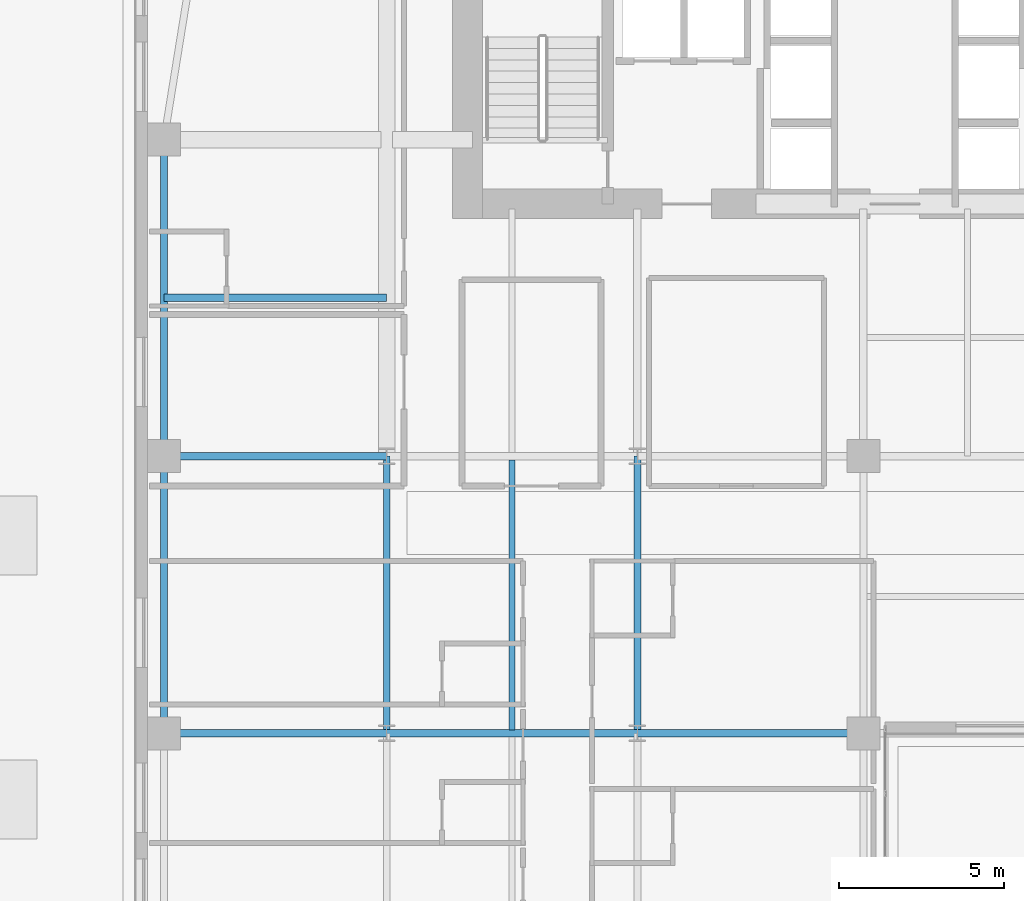
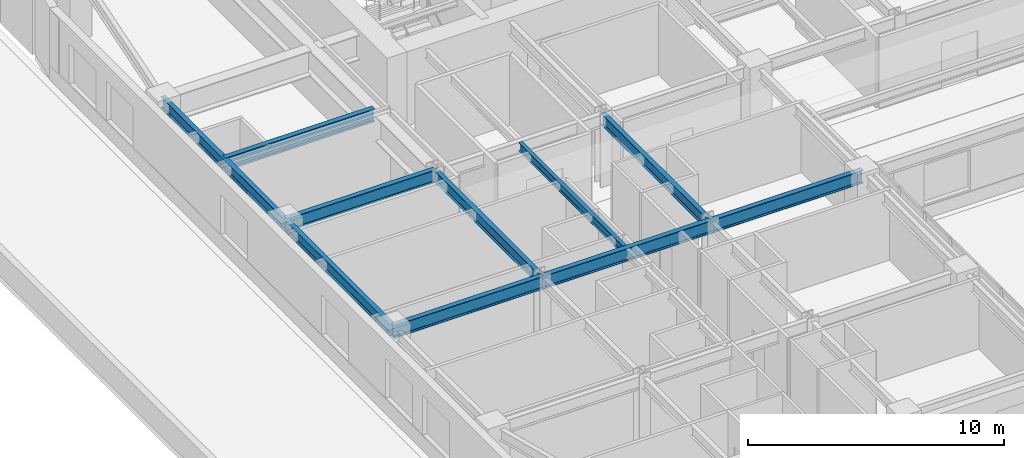
# One storey, part 5 of 25: 10 beams.
"""IFC4 building model written with IfcOpenShell, lengths in metres."""

from ifc_helpers import new_model, si_unit, direction, frame, origin, origin_2d, place, context, subcontext, project, spatial, i_section, extrude, source, transform, mapped, material, material_profile, profile_set, type_object, type_shapes, element, save


model = new_model("IFC4")

# Units and contexts
model_context = context("Model", 3, precision=1e-05, world=origin(), true_north=direction((0.0, 1.0)))
body_context = subcontext(model_context, "Body", "Model", "MODEL_VIEW")
ifc_project = project(units=[si_unit("LENGTHUNIT", "METRE"), si_unit("AREAUNIT", "SQUARE_METRE"), si_unit("VOLUMEUNIT", "CUBIC_METRE"), si_unit("PLANEANGLEUNIT", "RADIAN"), si_unit("MASSUNIT", "GRAM", prefix="KILO")], contexts=[model_context])

# Site, building, storey
site_placement = place(None, origin())
site = spatial("IfcSite", under=ifc_project, at=site_placement, CompositionType="ELEMENT")
building_placement = place(site_placement, origin())
building = spatial("IfcBuilding", under=site, at=building_placement, Name="Tolvann Quenvar Hotel", CompositionType="ELEMENT")
storey_placement = place(building_placement, frame((0.0, 0.0, 32.0)))
storey = spatial("IfcBuildingStorey", under=building, at=storey_placement, Name="L06", CompositionType="ELEMENT", Elevation=32.0)

# Beams
ifc_material = material(Name="Steel Grade 350", Category="steel")
ifc_material_profile_1 = material_profile(ifc_material, i_section(OverallWidth=0.22900390625, OverallDepth=0.612060546875, WebThickness=0.011962890625, FlangeThickness=0.01953125, FilletRadius=0.013916015625, at=origin_2d()), Name="610UB125")
ifc_profile_set_1 = profile_set([ifc_material_profile_1], Name="Steel Grade 350")
beam_type_1 = type_object("IfcBeamType", Name="BM_GIRD_610UB125", PredefinedType="BEAM", material=ifc_profile_set_1)
shared_shape_1 = source(origin(), body_context, "Body", "SweptSolid", [
    extrude(i_section(OverallWidth=0.22900390625, OverallDepth=0.612060546875, WebThickness=0.011962890625, FlangeThickness=0.01953125, FilletRadius=0.013916015625, at=origin_2d()), origin(), (0.0, 0.0, 1.0), 6.75),
])
for number, where, z_axis, x_axis, name in (
    (1, (0.85009765625, 16.0, 3.06396484375), (1.0, 0.0, 0.0), (0.0, 1.0, 0.0), "BM-L06-EW-4-B4-C4"),
    (2, (0.85009765625, 24.39990234375, 3.06396484375), (1.0, 0.0, 0.0), (0.0, 1.0, 0.0), "BM-L06-EW-5-B5-C5"),
    (3, (0.85009765625, 29.199951171875, 3.06396484375), (1.0, 0.0, 0.0), (0.0, 1.0, 0.0), "BM-L06-EW-BC29"),
):
    element("IfcBeam", number, at=place(storey_placement, frame(where, z_axis=z_axis, x_axis=x_axis)), inside=storey, type_object=beam_type_1, Name=name, PredefinedType="BEAM", context=body_context, shape_type="MappedRepresentation", body=[
        mapped(shared_shape_1, transform((0.0, 0.0, 0.0), x_axis=(1.0, 0.0, 0.0), y_axis=(0.0, 1.0, 0.0), z_axis=(0.0, 0.0, 1.0), scale=1.0)),
    ])
shared_shape_2 = source(origin(), body_context, "Body", "SweptSolid", [
    extrude(i_section(OverallWidth=0.22900390625, OverallDepth=0.612060546875, WebThickness=0.011962890625, FlangeThickness=0.01953125, FilletRadius=0.013916015625, at=origin_2d()), origin(), (0.0, 0.0, 1.0), 7.599853515625),
])
beam_1_placement = place(storey_placement, frame((7.60009765625, 16.0, 3.06396484375), z_axis=(1.0, 0.0, 0.0), x_axis=(0.0, 1.0, 0.0)))
element("IfcBeam", 4, at=beam_1_placement, inside=storey, type_object=beam_type_1, Name="BM-L06-EW-4-C4-D4", PredefinedType="BEAM", context=body_context, shape_type="MappedRepresentation", body=[
    mapped(shared_shape_2, transform((0.0, 0.0, 0.0), x_axis=(1.0, 0.0, 0.0), y_axis=(0.0, 1.0, 0.0), z_axis=(0.0, 0.0, 1.0), scale=1.0)),
])
shared_shape_3 = source(origin(), body_context, "Body", "SweptSolid", [
    extrude(i_section(OverallWidth=0.22900390625, OverallDepth=0.612060546875, WebThickness=0.011962890625, FlangeThickness=0.01953125, FilletRadius=0.013916015625, at=origin_2d()), origin(), (0.0, 0.0, 1.0), 6.85009765625),
])
type_shapes(beam_type_1, [shared_shape_1, shared_shape_2, shared_shape_3])
beam_2_placement = place(storey_placement, frame((15.199951171875, 16.0, 3.06396484375), z_axis=(1.0, 0.0, 0.0), x_axis=(0.0, 1.0, 0.0)))
element("IfcBeam", 5, at=beam_2_placement, inside=storey, type_object=beam_type_1, Name="BM-L06-EW-4-D4-E4", PredefinedType="BEAM", context=body_context, shape_type="MappedRepresentation", body=[
    mapped(shared_shape_3, transform((0.0, 0.0, 0.0), x_axis=(1.0, 0.0, 0.0), y_axis=(0.0, 1.0, 0.0), z_axis=(0.0, 0.0, 1.0), scale=1.0)),
])
ifc_material_profile_2 = material_profile(ifc_material, i_section(OverallWidth=0.208984375, OverallDepth=0.528076171875, WebThickness=0.009521484375, FlangeThickness=0.01318359375, FilletRadius=0.013916015625, at=origin_2d()), Name="530UB82")
ifc_profile_set_2 = profile_set([ifc_material_profile_2], Name="Steel Grade 350")
beam_type_2 = type_object("IfcBeamType", Name="BM_SPAND_530UB82", PredefinedType="SPANDREL", material=ifc_profile_set_2)
shared_shape_4 = source(origin(), body_context, "Body", "SweptSolid", [
    extrude(i_section(OverallWidth=0.208984375, OverallDepth=0.528076171875, WebThickness=0.009521484375, FlangeThickness=0.01318359375, FilletRadius=0.013916015625, at=origin_2d()), origin(), (0.0, 0.0, 1.0), 8.39990234375),
])
beam_3_placement = place(storey_placement, frame((0.85009765625, 16.0, 3.10595703125), z_axis=(0.0, 1.0, 0.0), x_axis=(-1.0, 0.0, 0.0)))
element("IfcBeam", 6, at=beam_3_placement, inside=storey, type_object=beam_type_2, Name="BM-L06-NS-B4-B5", PredefinedType="SPANDREL", context=body_context, shape_type="MappedRepresentation", body=[
    mapped(shared_shape_4, transform((0.0, 0.0, 0.0), x_axis=(1.0, 0.0, 0.0), y_axis=(0.0, 1.0, 0.0), z_axis=(0.0, 0.0, 1.0), scale=1.0)),
])
ifc_material_profile_3 = material_profile(ifc_material, i_section(OverallWidth=0.208984375, OverallDepth=0.532958984375, WebThickness=0.01025390625, FlangeThickness=0.015625, FilletRadius=0.013916015625, at=origin_2d()), Name="530UB92")
ifc_profile_set_3 = profile_set([ifc_material_profile_3], Name="Steel Grade 350")
beam_type_3 = type_object("IfcBeamType", Name="BM_GIRD_530UB92", PredefinedType="BEAM", material=ifc_profile_set_3)
shared_shape_5 = source(origin(), body_context, "Body", "SweptSolid", [
    extrude(i_section(OverallWidth=0.208984375, OverallDepth=0.532958984375, WebThickness=0.01025390625, FlangeThickness=0.015625, FilletRadius=0.013916015625, at=origin_2d()), origin(), (0.0, 0.0, 1.0), 8.39990234375),
])
type_shapes(beam_type_3, [shared_shape_5])
for number, where, z_axis, x_axis, name in (
    (7, (7.60009765625, 16.0, 3.103515625), (0.0, 1.0, 0.0), (-1.0, 0.0, 0.0), "BM-L06-NS-C4-C5"),
    (8, (15.199951171875, 16.0, 3.103515625), (0.0, 1.0, 0.0), (-1.0, 0.0, 0.0), "BM-L06-NS-D4-D5"),
):
    element("IfcBeam", number, at=place(storey_placement, frame(where, z_axis=z_axis, x_axis=x_axis)), inside=storey, type_object=beam_type_3, Name=name, PredefinedType="BEAM", context=body_context, shape_type="MappedRepresentation", body=[
        mapped(shared_shape_5, transform((0.0, 0.0, 0.0), x_axis=(1.0, 0.0, 0.0), y_axis=(0.0, 1.0, 0.0), z_axis=(0.0, 0.0, 1.0), scale=1.0)),
    ])
shared_shape_6 = source(origin(), body_context, "Body", "SweptSolid", [
    extrude(i_section(OverallWidth=0.208984375, OverallDepth=0.528076171875, WebThickness=0.009521484375, FlangeThickness=0.01318359375, FilletRadius=0.013916015625, at=origin_2d()), origin(), (0.0, 0.0, 1.0), 9.60009765625),
])
type_shapes(beam_type_2, [shared_shape_4, shared_shape_6])
beam_4_placement = place(storey_placement, frame((0.85009765625, 24.39990234375, 3.10595703125), z_axis=(0.0, 1.0, 0.0), x_axis=(-1.0, 0.0, 0.0)))
element("IfcBeam", 9, at=beam_4_placement, inside=storey, type_object=beam_type_2, Name="BM-L06-FLK-W1", PredefinedType="SPANDREL", context=body_context, shape_type="MappedRepresentation", body=[
    mapped(shared_shape_6, transform((0.0, 0.0, 0.0), x_axis=(1.0, 0.0, 0.0), y_axis=(0.0, 1.0, 0.0), z_axis=(0.0, 0.0, 1.0), scale=1.0)),
])
ifc_material_profile_4 = material_profile(ifc_material, i_section(OverallWidth=0.177978515625, OverallDepth=0.406005859375, WebThickness=0.0078125, FlangeThickness=0.0126953125, FilletRadius=0.011474609375, at=origin_2d()), Name="410UB60")
ifc_profile_set_4 = profile_set([ifc_material_profile_4], Name="Steel Grade 350")
beam_type_4 = type_object("IfcBeamType", Name="BM_JOIST_410UB60", PredefinedType="JOIST", material=ifc_profile_set_4)
shared_shape_7 = source(origin(), body_context, "Body", "SweptSolid", [
    extrude(i_section(OverallWidth=0.177978515625, OverallDepth=0.406005859375, WebThickness=0.0078125, FlangeThickness=0.0126953125, FilletRadius=0.011474609375, at=origin_2d()), origin(), (0.0, 0.0, 1.0), 8.18310546875),
])
type_shapes(beam_type_4, [shared_shape_7])
beam_5_placement = place(storey_placement, frame((11.39990234375, 16.1083984375, 3.1669921875), z_axis=(0.0, 1.0, 0.0), x_axis=(-1.0, 0.0, 0.0)))
element("IfcBeam", 10, at=beam_5_placement, inside=storey, type_object=beam_type_4, Name="BJ-L06-114-160", PredefinedType="JOIST", context=body_context, shape_type="MappedRepresentation", body=[
    mapped(shared_shape_7, transform((0.0, 0.0, 0.0), x_axis=(1.0, 0.0, 0.0), y_axis=(0.0, 1.0, 0.0), z_axis=(0.0, 0.0, 1.0), scale=1.0)),
])

save(model, "model.ifc")
